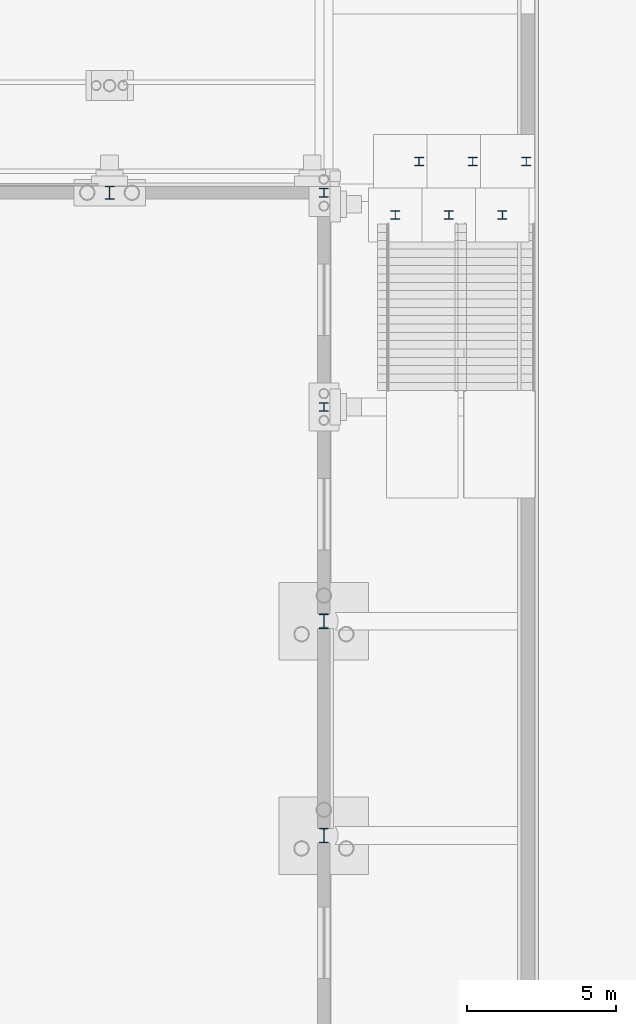
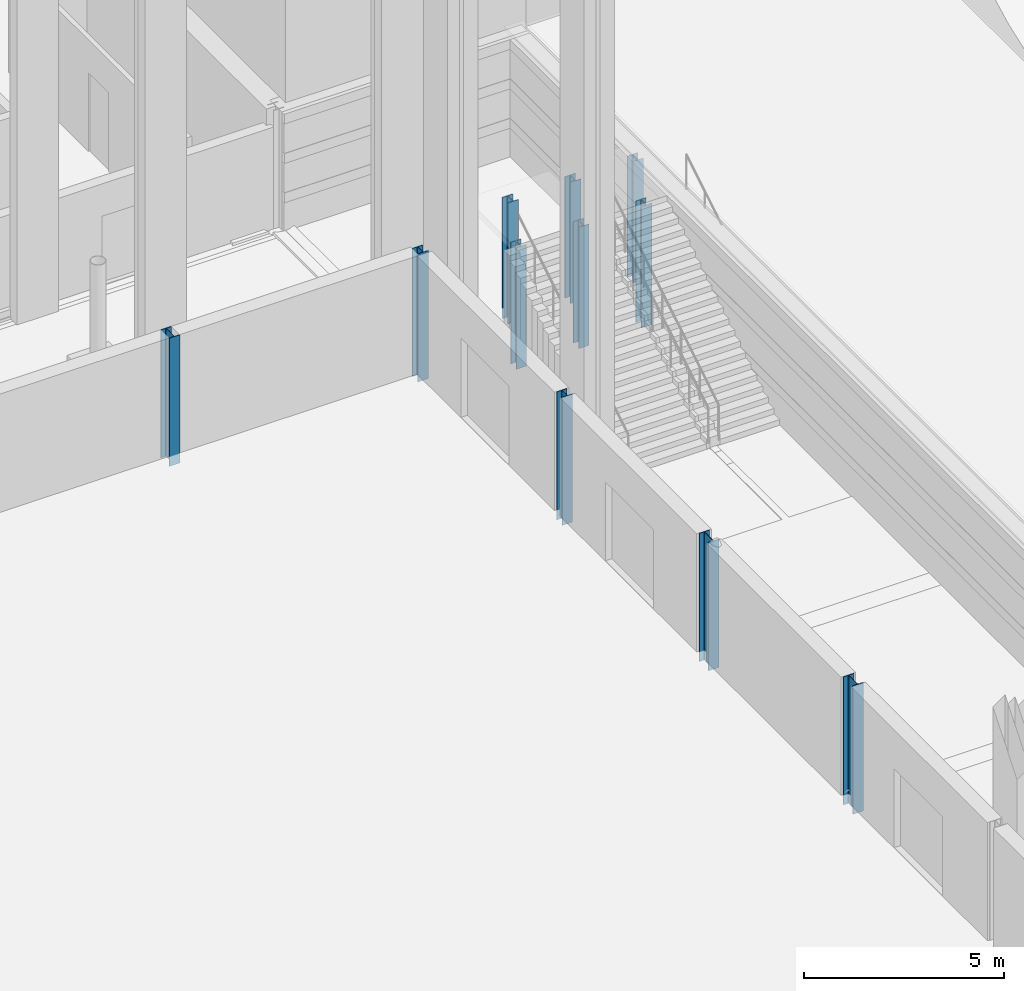
# One storey, part 55 of 148: 11 columns.
"""IFC4 building model written with IfcOpenShell, lengths in metres."""

from ifc_helpers import new_model, si_unit, direction, frame, origin, origin_2d, place, context, subcontext, project, spatial, i_section, extrude, material, material_profile, profile_set, type_object, element, save


model = new_model("IFC4")

# Units and contexts
model_context = context("Model", 3, precision=1e-05, world=origin(), true_north=direction((0.0, 1.0)))
body_context = subcontext(model_context, "Body", "Model", "MODEL_VIEW")
ifc_project = project(units=[si_unit("LENGTHUNIT", "METRE"), si_unit("AREAUNIT", "SQUARE_METRE"), si_unit("VOLUMEUNIT", "CUBIC_METRE"), si_unit("PLANEANGLEUNIT", "RADIAN"), si_unit("MASSUNIT", "GRAM", prefix="KILO")], contexts=[model_context])

# Site, building, storey
site_placement = place(None, origin())
site = spatial("IfcSite", under=ifc_project, at=site_placement, CompositionType="ELEMENT")
building_placement = place(site_placement, origin())
building = spatial("IfcBuilding", under=site, at=building_placement, Name="Kupolbacken Congress Centre", CompositionType="ELEMENT")
storey_placement = place(building_placement, origin())
storey = spatial("IfcBuildingStorey", under=building, at=storey_placement, Name="L00", CompositionType="ELEMENT", Elevation=0.0)

# Columns
ifc_material_1 = material(Name="Steel S355", Category="steel")
ifc_material_profile_1 = material_profile(ifc_material_1, i_section(OverallWidth=0.300048828125, OverallDepth=0.43994140625, WebThickness=0.011474609375, FlangeThickness=0.02099609375, FilletRadius=0.027099609375, at=origin_2d()), Name="HEA 450")
ifc_profile_set_1 = profile_set([ifc_material_profile_1], Name="Steel S355")
column_type_1 = type_object("IfcColumnType", Name="C07 column HEA 450", PredefinedType="COLUMN", material=ifc_profile_set_1)
column_placement = place(storey_placement, frame((194.39990234375, 115.199951171875, -0.300048828125), z_axis=(0.0, 0.0, 1.0), x_axis=(1.0, 0.0, 0.0)))
element("IfcColumn", 1, at=column_placement, inside=storey, type_object=column_type_1, Name="S/col/C-H-T8N/L00", PredefinedType="COLUMN", context=body_context, shape_type="SweptSolid", body=[
    extrude(i_section(OverallWidth=0.300048828125, OverallDepth=0.43994140625, WebThickness=0.011474609375, FlangeThickness=0.02099609375, FilletRadius=0.027099609375, at=origin_2d()), origin(), (0.0, 0.0, 1.0), 3.900146484375),
])
ifc_material_2 = material(Name="Steel S355", Category="steel")
ifc_material_profile_2 = material_profile(ifc_material_2, i_section(OverallWidth=0.300048828125, OverallDepth=0.2900390625, WebThickness=0.008544921875, FlangeThickness=0.013916015625, FilletRadius=0.027099609375, at=origin_2d()), Name="HEA 300")
ifc_profile_set_2 = profile_set([ifc_material_profile_2], Name="Steel S355")
column_type_2 = type_object("IfcColumnType", Name="C09 column HEA 300", PredefinedType="COLUMN", material=ifc_profile_set_2)
for number, where, z_axis, x_axis, name in (
    (2, (201.60009765625, 108.0, -0.300048828125), (0.0, 0.0, 1.0), (1.0, 0.0, 0.0), "S/col/C-H-PE10/L00"),
    (3, (201.60009765625, 115.199951171875, -0.300048828125), (0.0, 0.0, 1.0), (1.0, 0.0, 0.0), "S/col/C-H-PE11/L00"),
):
    element("IfcColumn", number, at=place(storey_placement, frame(where, z_axis=z_axis, x_axis=x_axis)), inside=storey, type_object=column_type_2, Name=name, PredefinedType="COLUMN", context=body_context, shape_type="SweptSolid", body=[
        extrude(i_section(OverallWidth=0.300048828125, OverallDepth=0.2900390625, WebThickness=0.008544921875, FlangeThickness=0.013916015625, FilletRadius=0.027099609375, at=origin_2d()), origin(), (0.0, 0.0, 1.0), 3.900146484375),
    ])
for number, where, z_axis, x_axis, name in (
    (4, (204.0, 114.449951171875, -0.300048828125), (0.0, 0.0, 1.0), (1.0, 0.0, 0.0), "C/xcol/XS2/1/L00"),
    (5, (205.800048828125, 114.449951171875, -0.300048828125), (0.0, 0.0, 1.0), (1.0, 0.0, 0.0), "C/xcol/XS2/2/L00"),
    (6, (204.800048828125, 116.25, -0.300048828125), (0.0, 0.0, 1.0), (1.0, 0.0, 0.0), "C/xcol/XS2/3/L00"),
    (7, (206.60009765625, 116.25, -0.300048828125), (0.0, 0.0, 1.0), (1.0, 0.0, 0.0), "C/xcol/XS3/1/L00"),
    (8, (208.39990234375, 116.25, -0.300048828125), (0.0, 0.0, 1.0), (1.0, 0.0, 0.0), "C/xcol/XS3/2/L00"),
    (9, (207.60009765625, 114.449951171875, -0.300048828125), (0.0, 0.0, 1.0), (1.0, 0.0, 0.0), "C/xcol/XS3/3/L00"),
):
    element("IfcColumn", number, at=place(storey_placement, frame(where, z_axis=z_axis, x_axis=x_axis)), inside=storey, type_object=column_type_2, Name=name, PredefinedType="COLUMN", context=body_context, shape_type="SweptSolid", body=[
        extrude(i_section(OverallWidth=0.300048828125, OverallDepth=0.2900390625, WebThickness=0.008544921875, FlangeThickness=0.013916015625, FilletRadius=0.027099609375, at=origin_2d()), origin(), (0.0, 0.0, 1.0), 3.695068359375),
    ])
ifc_material_3 = material(Name="Steel S355", Category="steel")
ifc_material_profile_3 = material_profile(ifc_material_3, i_section(OverallWidth=0.300048828125, OverallDepth=0.489990234375, WebThickness=0.011962890625, FlangeThickness=0.02294921875, FilletRadius=0.027099609375, at=origin_2d()), Name="HEA 500")
ifc_profile_set_3 = profile_set([ifc_material_profile_3], Name="Steel S355")
column_type_3 = type_object("IfcColumnType", Name="C14 column HEA 500", PredefinedType="COLUMN", material=ifc_profile_set_3)
for number, where, z_axis, x_axis, name in (
    (10, (201.60009765625, 93.60009765625, -0.300048828125), (0.0, 0.0, 1.0), (1.0, 0.0, 0.0), "S/col/C-H-PE08/L00"),
    (11, (201.60009765625, 100.800048828125, -0.300048828125), (0.0, 0.0, 1.0), (1.0, 0.0, 0.0), "S/col/C-H-PE09/L00"),
):
    element("IfcColumn", number, at=place(storey_placement, frame(where, z_axis=z_axis, x_axis=x_axis)), inside=storey, type_object=column_type_3, Name=name, PredefinedType="COLUMN", context=body_context, shape_type="SweptSolid", body=[
        extrude(i_section(OverallWidth=0.300048828125, OverallDepth=0.489990234375, WebThickness=0.011962890625, FlangeThickness=0.02294921875, FilletRadius=0.027099609375, at=origin_2d()), origin(), (0.0, 0.0, 1.0), 3.900146484375),
    ])

save(model, "model.ifc")
